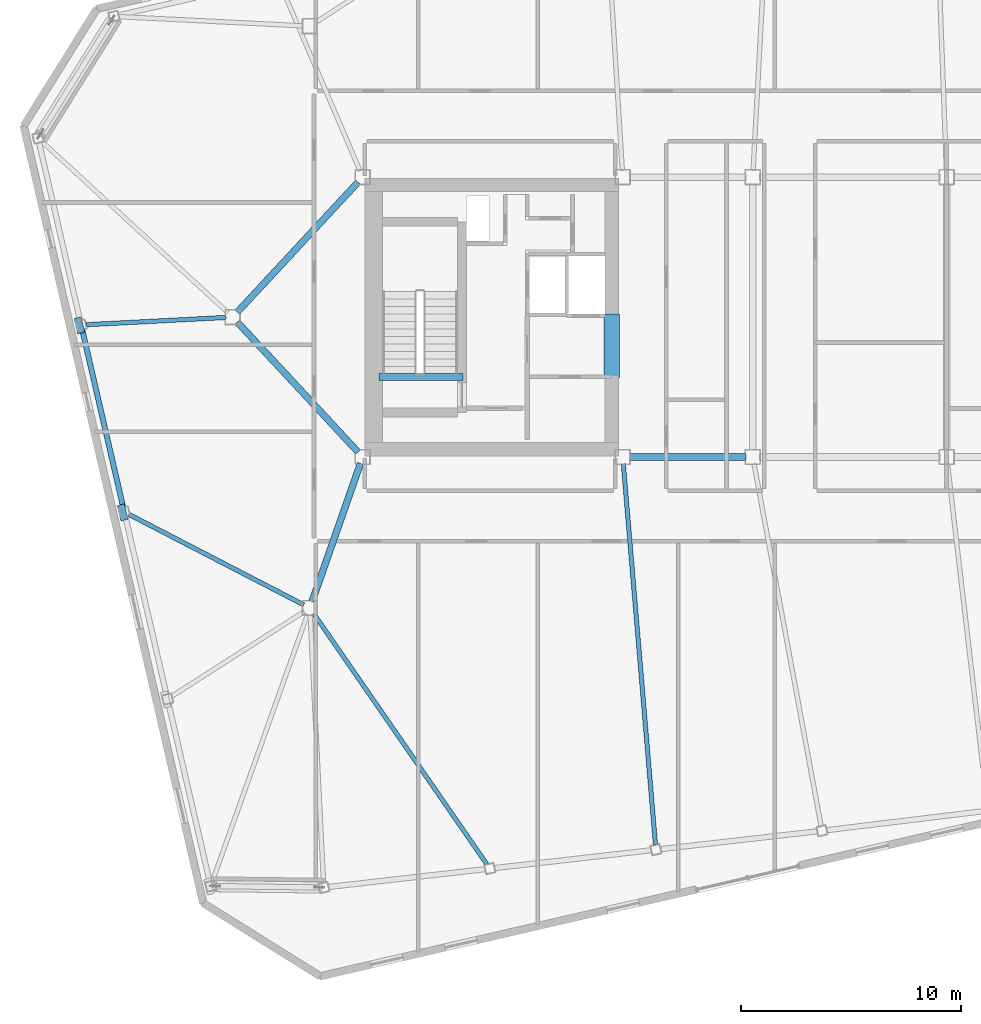
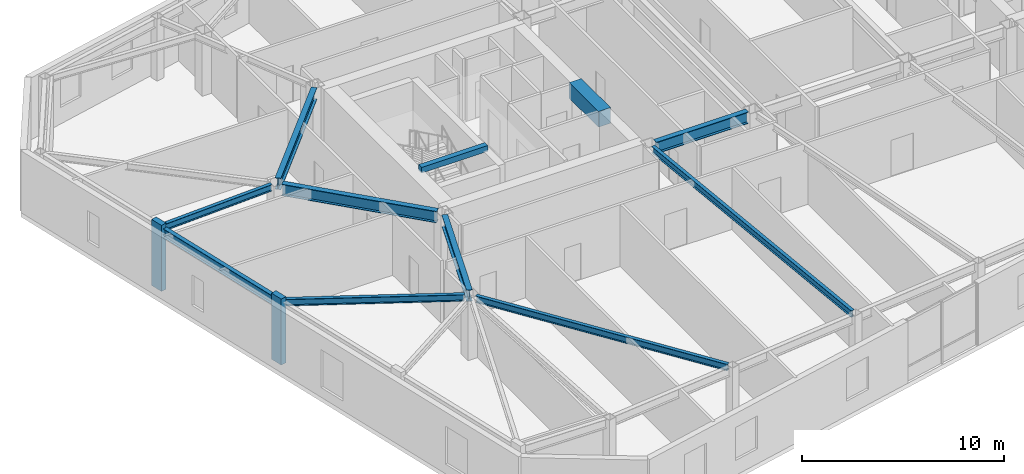
# One storey, part 6 of 23: 11 beams, 2 members.
"""IFC4 building model written with IfcOpenShell, lengths in metres."""

from ifc_helpers import new_model, si_unit, direction, frame, origin, origin_2d, place, context, subcontext, project, spatial, rectangle, i_section, extrude, material, material_profile, profile_set, type_object, element, save


model = new_model("IFC4")

# Units and contexts
model_context = context("Model", 3, precision=1e-05, world=origin(), true_north=direction((0.0, 1.0)))
body_context = subcontext(model_context, "Body", "Model", "MODEL_VIEW")
ifc_project = project(units=[si_unit("LENGTHUNIT", "METRE"), si_unit("AREAUNIT", "SQUARE_METRE"), si_unit("VOLUMEUNIT", "CUBIC_METRE"), si_unit("PLANEANGLEUNIT", "RADIAN"), si_unit("MASSUNIT", "GRAM", prefix="KILO")], contexts=[model_context])

# Site, building, storey
site_placement = place(None, origin())
site = spatial("IfcSite", under=ifc_project, at=site_placement, CompositionType="ELEMENT")
building_placement = place(site_placement, origin())
building = spatial("IfcBuilding", under=site, at=building_placement, Name="Tavrogorsk Clinical Tower", CompositionType="ELEMENT")
storey_placement = place(building_placement, frame((0.0, 0.0, 293.0)))
storey = spatial("IfcBuildingStorey", under=building, at=storey_placement, Name="L68", CompositionType="ELEMENT", Elevation=293.0)

# Beams
ifc_material_1 = material(Name="Concrete B80", Category="concrete")
ifc_material_profile_1 = material_profile(ifc_material_1, rectangle(XDim=0.699951171875, YDim=0.949951171875, at=origin_2d()), Name="RC-CB-700x950")
ifc_profile_set_1 = profile_set([ifc_material_profile_1], Name="Concrete B80")
beam_type_1 = type_object("IfcBeamType", Name="CouplingBeam_RC700x950", PredefinedType="LINTEL", material=ifc_profile_set_1)
beam_1_placement = place(storey_placement, frame((-10.800048828125, -2.75, 3.264892578125), z_axis=(0.0, 1.0, 0.0), x_axis=(-1.0, 0.0, 0.0)))
element("IfcBeam", 1, at=beam_1_placement, inside=storey, type_object=beam_type_1, Name="L68 Core West Coupling Beam", PredefinedType="LINTEL", context=body_context, shape_type="SweptSolid", body=[
    extrude(rectangle(XDim=0.699951171875, YDim=0.949951171875, at=origin_2d()), origin(), (0.0, 0.0, 1.0), 2.89990234375),
])
ifc_material_2 = material(Name="Structural steel S355", Category="steel")
ifc_material_profile_2 = material_profile(ifc_material_2, i_section(OverallWidth=0.199951171875, OverallDepth=0.39990234375, WebThickness=0.010498046875, FlangeThickness=0.01611328125, at=origin_2d()), Name="B-400x200x10.5x16")
ifc_profile_set_2 = profile_set([ifc_material_profile_2], Name="Structural steel S355")
beam_type_2 = type_object("IfcBeamType", Name="FloorBeam_B400", PredefinedType="BEAM", material=ifc_profile_set_2)
beam_2_placement = place(storey_placement, frame((-24.32373046875, -13.455078125, 3.5400390625), z_axis=(0.568335848504, -0.82279667191, 0.0), x_axis=(0.82279667191, 0.568335848504, 0.0)))
element("IfcBeam", 2, at=beam_2_placement, inside=storey, type_object=beam_type_2, Name="L68 Radial Floor Beam S2", PredefinedType="BEAM", context=body_context, shape_type="SweptSolid", body=[
    extrude(i_section(OverallWidth=0.199951171875, OverallDepth=0.39990234375, WebThickness=0.010498046875, FlangeThickness=0.01611328125, at=origin_2d()), origin(), (0.0, 0.0, 1.0), 13.831298828125),
])
beam_3_placement = place(storey_placement, frame((-10.27392578125, -6.658935546875, 3.5400390625), z_axis=(0.084215365049, -0.996447576288, 0.0), x_axis=(0.996447576288, 0.084215365049, 0.0)))
element("IfcBeam", 3, at=beam_3_placement, inside=storey, type_object=beam_type_2, Name="L68 Radial Floor Beam S3", PredefinedType="BEAM", context=body_context, shape_type="SweptSolid", body=[
    extrude(i_section(OverallWidth=0.199951171875, OverallDepth=0.39990234375, WebThickness=0.010498046875, FlangeThickness=0.01611328125, at=origin_2d()), origin(), (0.0, 0.0, 1.0), 17.3388671875),
])
beam_4_placement = place(storey_placement, frame((-28.3095703125, -0.01611328125, 3.5400390625), z_axis=(-0.99864101713, -0.052116397656, 0.0), x_axis=(0.052116397656, -0.99864101713, 0.0)))
element("IfcBeam", 4, at=beam_4_placement, inside=storey, type_object=beam_type_2, Name="L68 Radial Floor Beam W2", PredefinedType="BEAM", context=body_context, shape_type="SweptSolid", body=[
    extrude(i_section(OverallWidth=0.199951171875, OverallDepth=0.39990234375, WebThickness=0.010498046875, FlangeThickness=0.01611328125, at=origin_2d()), origin(), (0.0, 0.0, 1.0), 6.3427734375),
])
beam_5_placement = place(storey_placement, frame((-24.775390625, -13.0576171875, 3.5400390625), z_axis=(-0.888188417157, 0.459479418069, 0.0), x_axis=(-0.459479418069, -0.888188417157, 0.0)))
element("IfcBeam", 5, at=beam_5_placement, inside=storey, type_object=beam_type_2, Name="L68 Radial Floor Beam W3", PredefinedType="BEAM", context=body_context, shape_type="SweptSolid", body=[
    extrude(i_section(OverallWidth=0.199951171875, OverallDepth=0.39990234375, WebThickness=0.010498046875, FlangeThickness=0.01611328125, at=origin_2d()), origin(), (0.0, 0.0, 1.0), 8.93408203125),
])

# Members
ifc_material_3 = material(Name="Precast concrete B45 with limestone cladding", Category="masonry")
ifc_material_profile_3 = material_profile(ifc_material_3, rectangle(XDim=0.320068359375, YDim=0.719970703125, at=origin_2d()), Name="LIMESTONE-FIN-320x720")
ifc_profile_set_3 = profile_set([ifc_material_profile_3], Name="Precast concrete B45 with limestone cladding")
member_type = type_object("IfcMemberType", Name="LimestonePleatFin_320x720", PredefinedType="USERDEFINED", material=ifc_profile_set_3)
for number, where, z_axis, x_axis, name in (
    (6, (-34.95458984375, -0.376708984375, 0.0), (0.0, 0.0, 1.0), (0.974370064785, 0.224951054344, 0.0), "L68 W Pleated Stone Fin 1"),
    (7, (-32.995361328125, -8.863525390625, 0.0), (0.0, 0.0, 1.0), (0.974370064785, 0.224951054344, 0.0), "L68 W Pleated Stone Fin 2"),
):
    element("IfcMember", number, at=place(storey_placement, frame(where, z_axis=z_axis, x_axis=x_axis)), inside=storey, type_object=member_type, Name=name, ObjectType="FIN", PredefinedType="USERDEFINED", context=body_context, shape_type="SweptSolid", body=[
        extrude(rectangle(XDim=0.320068359375, YDim=0.719970703125, at=origin_2d()), origin(), (0.0, 0.0, 1.0), 4.0),
    ])

# Beams
ifc_material_4 = material(Name="Structural steel S390", Category="steel")
ifc_material_profile_4 = material_profile(ifc_material_4, i_section(OverallWidth=0.300048828125, OverallDepth=0.699951171875, WebThickness=0.01708984375, FlangeThickness=0.028076171875, at=origin_2d()), Name="B-700x300x17x28")
ifc_profile_set_4 = profile_set([ifc_material_profile_4], Name="Structural steel S390")
beam_type_3 = type_object("IfcBeamType", Name="PrimaryGirder_B700", PredefinedType="USERDEFINED", material=ifc_profile_set_4)
beam_6_placement = place(storey_placement, frame((-9.989990234375, -6.35009765625, 3.389892578125), z_axis=(1.0, 0.0, 0.0), x_axis=(0.0, 1.0, 0.0)))
element("IfcBeam", 8, at=beam_6_placement, inside=storey, type_object=beam_type_3, Name="L68 Primary Spine Girder MG-01", ObjectType="GIRDER", PredefinedType="USERDEFINED", context=body_context, shape_type="SweptSolid", body=[
    extrude(i_section(OverallWidth=0.300048828125, OverallDepth=0.699951171875, WebThickness=0.01708984375, FlangeThickness=0.028076171875, at=origin_2d()), origin(), (0.0, 0.0, 1.0), 5.280029296875),
])
beam_7_placement = place(storey_placement, frame((-24.3974609375, -12.907470703125, 3.389892578125), z_axis=(0.330666578092, 0.943747643246, 0.0), x_axis=(-0.943747643246, 0.330666578092, 0.0)))
element("IfcBeam", 9, at=beam_7_placement, inside=storey, type_object=beam_type_3, Name="L68 Spine Link Girder OPG-1", ObjectType="GIRDER", PredefinedType="USERDEFINED", context=body_context, shape_type="SweptSolid", body=[
    extrude(i_section(OverallWidth=0.300048828125, OverallDepth=0.699951171875, WebThickness=0.01708984375, FlangeThickness=0.028076171875, at=origin_2d()), origin(), (0.0, 0.0, 1.0), 6.638427734375),
])
for number, where, z_axis, x_axis, name in (
    (10, (-27.7890625, -0.22705078125, 3.389892578125), (0.680677963005, -0.732582767119, 0.0), (0.732582767119, 0.680677963005, 0.0), "L68 Spine Link Girder OPG-5"),
    (11, (-27.7890625, 0.22705078125, 3.389892578125), (0.680677963005, 0.732582767119, 0.0), (-0.732582767119, 0.680677963005, 0.0), "L68 Spine Link Girder OPG-6"),
):
    element("IfcBeam", number, at=place(storey_placement, frame(where, z_axis=z_axis, x_axis=x_axis)), inside=storey, type_object=beam_type_3, Name=name, ObjectType="GIRDER", PredefinedType="USERDEFINED", context=body_context, shape_type="SweptSolid", body=[
        extrude(i_section(OverallWidth=0.300048828125, OverallDepth=0.699951171875, WebThickness=0.01708984375, FlangeThickness=0.028076171875, at=origin_2d()), origin(), (0.0, 0.0, 1.0), 8.0478515625),
    ])
ifc_material_5 = material(Name="Structural steel S390", Category="steel")
ifc_material_profile_5 = material_profile(ifc_material_5, i_section(OverallWidth=0.239990234375, OverallDepth=0.550048828125, WebThickness=0.013916015625, FlangeThickness=0.02197265625, at=origin_2d()), Name="B-550x240x14x22")
ifc_profile_set_5 = profile_set([ifc_material_profile_5], Name="Structural steel S390")
beam_type_4 = type_object("IfcBeamType", Name="SpandrelBeam_B550", PredefinedType="SPANDREL", material=ifc_profile_set_5)
beam_8_placement = place(storey_placement, frame((-34.82421875, -0.585693359375, 3.465087890625), z_axis=(0.224950345141, -0.974370228517, 0.0), x_axis=(0.974370228517, 0.224950345141, 0.0)))
element("IfcBeam", 12, at=beam_8_placement, inside=storey, type_object=beam_type_4, Name="L68 Perimeter Spandrel W2-W3", PredefinedType="SPANDREL", context=body_context, shape_type="SweptSolid", body=[
    extrude(i_section(OverallWidth=0.239990234375, OverallDepth=0.550048828125, WebThickness=0.013916015625, FlangeThickness=0.02197265625, at=origin_2d()), origin(), (0.0, 0.0, 1.0), 8.243896484375),
])
ifc_material_6 = material(Name="Concrete B60", Category="concrete")
ifc_material_profile_6 = material_profile(ifc_material_6, rectangle(XDim=0.300048828125, YDim=0.35009765625, at=origin_2d()), Name="RC-SHB-300x350")
ifc_profile_set_6 = profile_set([ifc_material_profile_6], Name="Concrete B60")
beam_type_5 = type_object("IfcBeamType", Name="StairHeaderBeam_RC300x350", PredefinedType="BEAM", material=ifc_profile_set_6)
beam_9_placement = place(storey_placement, frame((-21.35009765625, -2.719970703125, 3.824951171875), z_axis=(1.0, 0.0, 0.0), x_axis=(0.0, 1.0, 0.0)))
element("IfcBeam", 13, at=beam_9_placement, inside=storey, type_object=beam_type_5, Name="L69 ST-W Landing Header Beam", PredefinedType="BEAM", context=body_context, shape_type="SweptSolid", body=[
    extrude(rectangle(XDim=0.300048828125, YDim=0.35009765625, at=origin_2d()), origin(), (0.0, 0.0, 1.0), 3.800048828125),
])

save(model, "model.ifc")
